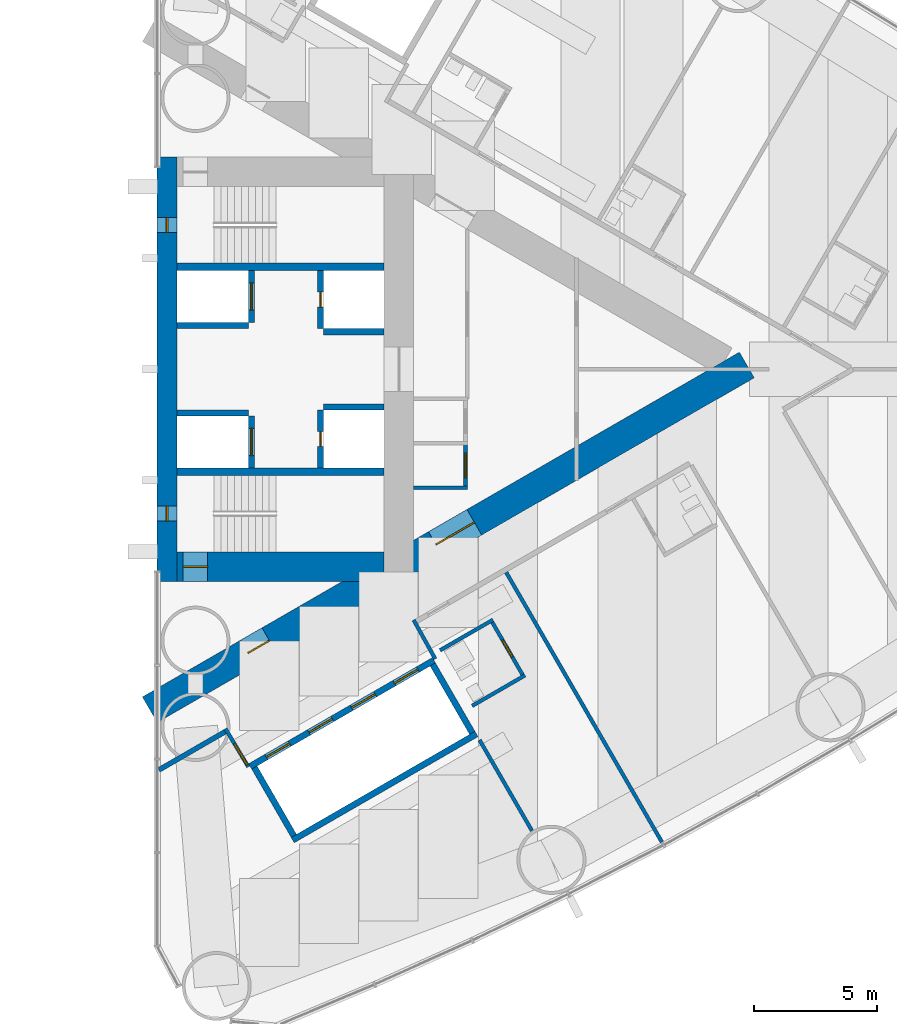
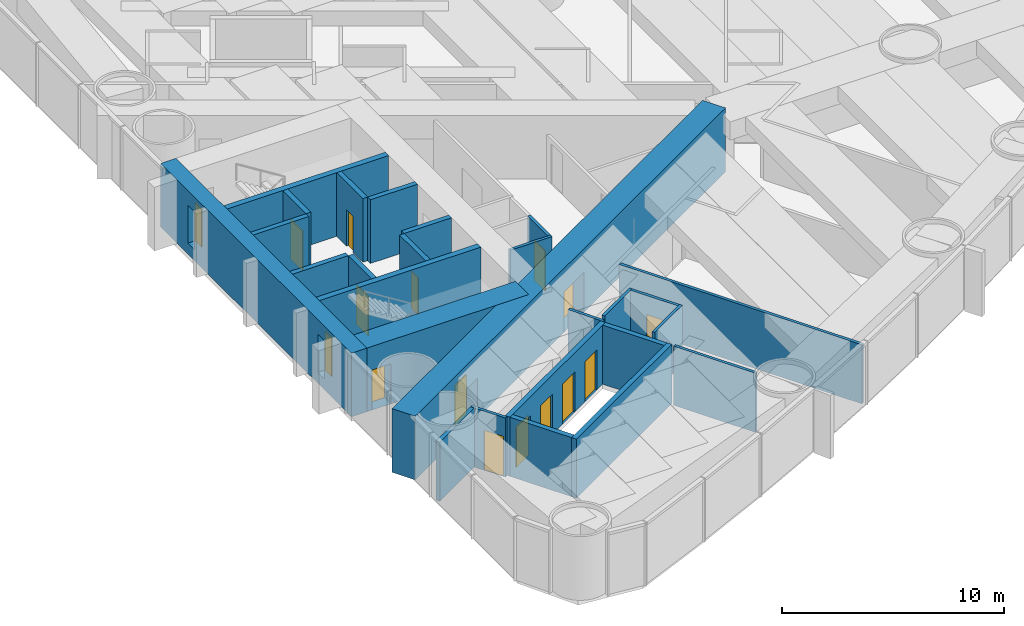
# One storey, part 14 of 19: 27 walls, 14 doors, 2 windows, 16 openings.
"""IFC4 building model written with IfcOpenShell, lengths in metres."""

from ifc_helpers import new_model, si_unit, direction, frame, frame_2d, origin, place, context, subcontext, project, spatial, rectangle, extrude, material, layer, layer_set, type_object, element, fill, save


model = new_model("IFC4")

# Units and contexts
model_context = context("Model", 3, precision=1e-05, world=origin(), true_north=direction((0.0, 1.0)))
body_context = subcontext(model_context, "Body", "Model", "MODEL_VIEW")
ifc_project = project(units=[si_unit("LENGTHUNIT", "METRE"), si_unit("AREAUNIT", "SQUARE_METRE"), si_unit("VOLUMEUNIT", "CUBIC_METRE"), si_unit("PLANEANGLEUNIT", "RADIAN"), si_unit("MASSUNIT", "GRAM", prefix="KILO")], contexts=[model_context])

# Site, building, storey
site_placement = place(None, origin())
site = spatial("IfcSite", under=ifc_project, at=site_placement, CompositionType="ELEMENT")
building_placement = place(site_placement, origin())
building = spatial("IfcBuilding", under=site, at=building_placement, Name="Lancet Gate Hotel", CompositionType="ELEMENT")
storey_placement = place(building_placement, frame((0.0, 0.0, 70.5)))
storey = spatial("IfcBuildingStorey", under=building, at=storey_placement, Name="L18", CompositionType="ELEMENT", Elevation=70.5)

# Wall
ifc_material_1 = material(Name="Moisture resistant board partition")
ifc_layer_1 = layer(ifc_material_1, 0.14990234375)
ifc_layer_set_1 = layer_set([ifc_layer_1], Name="Bathroom wall 150")
wall_type_1 = type_object("IfcWallType", Name="Bathroom wall 150", PredefinedType="PARTITIONING", material=ifc_layer_set_1)
wall_1_placement = place(storey_placement, frame((40.269775390625, -13.644287109375, 0.0), z_axis=(0.0, 0.0, 1.0), x_axis=(0.866031185235, 0.4999899861, 0.0)))
element("IfcWall", 1, at=wall_1_placement, inside=storey, type_object=wall_type_1, Name="T2 bathroom wall 150 L18", PredefinedType="PARTITIONING", context=body_context, shape_type="SweptSolid", body=[
    extrude(rectangle(XDim=2.47509765625, YDim=0.14990234375, at=frame_2d((1.237548828125, 0.0))), origin(), (0.0, 0.0, 1.0), 3.25),
])

# Wall, opening, door
wall_2_placement = place(storey_placement, frame((41.04833984375, -10.192626953125, 0.0), z_axis=(0.0, 0.0, 1.0), x_axis=(0.500047596559, -0.865997922154, 0.0)))
wall_2 = element("IfcWall", 2, at=wall_2_placement, inside=storey, type_object=wall_type_1, Name="T2 bathroom wall 150 L18", PredefinedType="PARTITIONING", context=body_context, shape_type="SweptSolid", body=[
    extrude(rectangle(XDim=2.599853515625, YDim=0.14990234375, at=frame_2d((1.2998046875, 0.0))), origin(), (0.0, 0.0, 1.0), 3.25),
])
opening_1_placement = place(wall_2_placement, frame((0.89990234375, 0.0, 0.0)))
opening_1 = element("IfcOpeningElement", 3, at=opening_1_placement, cuts=wall_2, Name="Opening 1853-B", PredefinedType="OPENING", context=body_context, shape_type="SweptSolid", body=[
    extrude(rectangle(XDim=0.800048828125, YDim=2.199951171875, at=frame_2d((0.39990234375, 1.10009765625))), frame((0.0, 0.0849609375, 0.0), z_axis=(0.0, -1.0, 0.0), x_axis=(1.0, 0.0, 0.0)), (0.0, 0.0, 1.0), 0.169921875),
])
ifc_material_2 = material(Name="Timber door set", Category="wood")
door_type_1 = type_object("IfcDoorType", Name="Bathroom door 800", OperationType="SINGLE_SWING_RIGHT", PredefinedType="DOOR", material=ifc_material_2)
door_1_placement = place(opening_1_placement, origin())
door_1 = element("IfcDoor", 4, at=door_1_placement, inside=storey, type_object=door_type_1, Name="1853-B", OperationType="SINGLE_SWING_RIGHT", OverallHeight=2.199951171875, OverallWidth=0.800048828125, PredefinedType="DOOR", context=body_context, shape_type="SweptSolid", body=[
    extrude(rectangle(XDim=0.800048828125, YDim=2.199951171875, at=frame_2d((0.39990234375, 1.10009765625))), frame((0.0, 0.02490234375, 0.0), z_axis=(0.0, -1.0, 0.0), x_axis=(1.0, 0.0, 0.0)), (0.0, 0.0, 1.0), 0.050048828125),
])
fill(opening_1, door_1)

# Wall
wall_3_placement = place(storey_placement, frame((38.9697265625, -11.392578125, 0.0), z_axis=(0.0, 0.0, 1.0), x_axis=(0.866031185235, 0.4999899861, 0.0)))
element("IfcWall", 5, at=wall_3_placement, inside=storey, type_object=wall_type_1, Name="T2 bathroom wall 150 L18", PredefinedType="PARTITIONING", context=body_context, shape_type="SweptSolid", body=[
    extrude(rectangle(XDim=2.47509765625, YDim=0.14990234375, at=frame_2d((1.237548828125, 0.0))), origin(), (0.0, 0.0, 1.0), 3.25),
])

# Wall, openings, doors
ifc_material_3 = material(Name="Concrete C70/85", Category="concrete")
ifc_layer_2 = layer(ifc_material_3, 1.199951171875)
ifc_layer_set_2 = layer_set([ifc_layer_2], Name="Buttress wall 1200")
wall_type_2 = type_object("IfcWallType", Name="Buttress wall 1200", PredefinedType="SHEAR", material=ifc_layer_set_2)
wall_4_placement = place(storey_placement, frame((27.199951171875, -13.800048828125, 0.0), z_axis=(0.0, 0.0, 1.0), x_axis=(0.866027159892, 0.499996958321, 0.0)))
wall_4 = element("IfcWall", 6, at=wall_4_placement, inside=storey, type_object=wall_type_2, Name="T2 buttress wall S L18", PredefinedType="SHEAR", context=body_context, shape_type="SweptSolid", body=[
    extrude(rectangle(XDim=27.946533203125, YDim=1.199951171875, at=frame_2d((13.97314453125, 0.0))), origin(), (0.0, 0.0, 1.0), 3.5),
])
opening_2_placement = place(wall_4_placement, frame((4.60009765625, 0.0, 0.0)))
opening_2 = element("IfcOpeningElement", 7, at=opening_2_placement, cuts=wall_4, Name="Opening T2-L18-LS", PredefinedType="OPENING", context=body_context, shape_type="SweptSolid", body=[
    extrude(rectangle(XDim=1.0, YDim=2.199951171875, at=frame_2d((0.5, 1.10009765625))), frame((0.0, 0.60986328125, 0.0), z_axis=(0.0, -1.0, 0.0), x_axis=(1.0, 0.0, 0.0)), (0.0, 0.0, 1.0), 1.219970703125),
])
opening_3_placement = place(wall_4_placement, frame((13.39453125, 0.0, 0.0)))
opening_3 = element("IfcOpeningElement", 8, at=opening_3_placement, cuts=wall_4, Name="Opening T2-L18-LHS", PredefinedType="OPENING", context=body_context, shape_type="SweptSolid", body=[
    extrude(rectangle(XDim=1.800048828125, YDim=2.199951171875, at=frame_2d((0.89990234375, 1.10009765625))), frame((0.0, 0.60986328125, 0.0), z_axis=(0.0, -1.0, 0.0), x_axis=(1.0, 0.0, 0.0)), (0.0, 0.0, 1.0), 1.219970703125),
])
ifc_material_4 = material(Name="Timber door set", Category="wood")
door_type_2 = type_object("IfcDoorType", Name="Lobby double door 1800", OperationType="DOUBLE_DOOR_SINGLE_SWING", PredefinedType="DOOR", material=ifc_material_4)
door_2_placement = place(opening_3_placement, origin())
door_2 = element("IfcDoor", 9, at=door_2_placement, inside=storey, type_object=door_type_2, Name="T2-L18-LHS", OperationType="DOUBLE_DOOR_SINGLE_SWING", OverallHeight=2.199951171875, OverallWidth=1.800048828125, PredefinedType="DOOR", context=body_context, shape_type="SweptSolid", body=[
    extrude(rectangle(XDim=1.800048828125, YDim=2.199951171875, at=frame_2d((0.89990234375, 1.10009765625))), frame((0.0, 0.02490234375, 0.0), z_axis=(0.0, -1.0, 0.0), x_axis=(1.0, 0.0, 0.0)), (0.0, 0.0, 1.0), 0.050048828125),
])
fill(opening_3, door_2)
ifc_material_5 = material(Name="Timber door set", Category="wood")
door_type_3 = type_object("IfcDoorType", Name="Stair lobby door 1000", OperationType="SINGLE_SWING_LEFT", PredefinedType="DOOR", material=ifc_material_5)
door_3_placement = place(opening_2_placement, origin())
door_3 = element("IfcDoor", 10, at=door_3_placement, inside=storey, type_object=door_type_3, Name="T2-L18-LS", OperationType="SINGLE_SWING_LEFT", OverallHeight=2.199951171875, OverallWidth=1.0, PredefinedType="DOOR", context=body_context, shape_type="SweptSolid", body=[
    extrude(rectangle(XDim=1.0, YDim=2.199951171875, at=frame_2d((0.5, 1.10009765625))), frame((0.0, 0.02490234375, 0.0), z_axis=(0.0, -1.0, 0.0), x_axis=(1.0, 0.0, 0.0)), (0.0, 0.0, 1.0), 0.050048828125),
])
fill(opening_2, door_3)

# Wall, opening, door
ifc_material_6 = material(Name="Concrete C70/85", Category="concrete")
ifc_layer_3 = layer(ifc_material_6, 1.199951171875)
ifc_layer_set_3 = layer_set([ifc_layer_3], Name="Core wall 1200")
wall_type_3 = type_object("IfcWallType", Name="Core wall 1200", PredefinedType="SHEAR", material=ifc_layer_set_3)
wall_5_placement = place(storey_placement, frame((28.300048828125, -8.0, 0.0), z_axis=(0.0, 0.0, 1.0), x_axis=(1.0, 0.0, 0.0)))
wall_5 = element("IfcWall", 11, at=wall_5_placement, inside=storey, type_object=wall_type_3, Name="T2 core wall side-S L18", PredefinedType="SHEAR", context=body_context, shape_type="SweptSolid", body=[
    extrude(rectangle(XDim=8.39990234375, YDim=1.199951171875, at=frame_2d((4.199951171875, 0.0))), origin(), (0.0, 0.0, 1.0), 3.5),
])
opening_4_placement = place(wall_5_placement, frame((0.25, 0.0, 0.0)))
opening_4 = element("IfcOpeningElement", 12, at=opening_4_placement, cuts=wall_5, Name="Opening T2-L18-ST1", PredefinedType="OPENING", context=body_context, shape_type="SweptSolid", body=[
    extrude(rectangle(XDim=1.0, YDim=2.199951171875, at=frame_2d((0.5, 1.10009765625))), frame((0.0, 0.60986328125, 0.0), z_axis=(0.0, -1.0, 0.0), x_axis=(1.0, 0.0, 0.0)), (0.0, 0.0, 1.0), 1.219970703125),
])
ifc_material_7 = material(Name="Timber door set", Category="wood")
door_type_4 = type_object("IfcDoorType", Name="Stair door 1000", OperationType="SINGLE_SWING_RIGHT", PredefinedType="DOOR", material=ifc_material_7)
door_4_placement = place(opening_4_placement, origin())
door_4 = element("IfcDoor", 13, at=door_4_placement, inside=storey, type_object=door_type_4, Name="T2-L18-ST1", OperationType="SINGLE_SWING_RIGHT", OverallHeight=2.199951171875, OverallWidth=1.0, PredefinedType="DOOR", context=body_context, shape_type="SweptSolid", body=[
    extrude(rectangle(XDim=1.0, YDim=2.199951171875, at=frame_2d((0.5, 1.10009765625))), frame((0.0, 0.02490234375, 0.0), z_axis=(0.0, -1.0, 0.0), x_axis=(1.0, 0.0, 0.0)), (0.0, 0.0, 1.0), 0.050048828125),
])
fill(opening_4, door_4)

# Wall, openings, windows
ifc_material_8 = material(Name="Concrete C70/85", Category="concrete")
ifc_layer_4 = layer(ifc_material_8, 0.800048828125)
ifc_layer_set_4 = layer_set([ifc_layer_4], Name="Core wall 800")
wall_type_4 = type_object("IfcWallType", Name="Core wall 800", PredefinedType="SHEAR", material=ifc_layer_set_4)
wall_6_placement = place(storey_placement, frame((27.89990234375, -8.60009765625, 0.0), z_axis=(0.0, 0.0, 1.0), x_axis=(0.0, 1.0, 0.0)))
wall_6 = element("IfcWall", 14, at=wall_6_placement, inside=storey, type_object=wall_type_4, Name="T2 core wall front L18", PredefinedType="SHEAR", context=body_context, shape_type="SweptSolid", body=[
    extrude(rectangle(XDim=17.2001953125, YDim=0.800048828125, at=frame_2d((8.60009765625, 0.0))), origin(), (0.0, 0.0, 1.0), 3.5),
])
opening_5_placement = place(wall_6_placement, frame((2.449951171875, 0.0, 0.60009765625)))
opening_5 = element("IfcOpeningElement", 15, at=opening_5_placement, cuts=wall_6, Name="Opening LW1", PredefinedType="OPENING", context=body_context, shape_type="SweptSolid", body=[
    extrude(rectangle(XDim=0.60009765625, YDim=2.10009765625, at=frame_2d((0.300048828125, 1.050048828125))), frame((0.0, 0.409912109375, 0.0), z_axis=(0.0, -1.0, 0.0), x_axis=(1.0, 0.0, 0.0)), (0.0, 0.0, 1.0), 0.820068359375),
])
opening_6_placement = place(wall_6_placement, frame((14.14990234375, 0.0, 0.60009765625)))
opening_6 = element("IfcOpeningElement", 16, at=opening_6_placement, cuts=wall_6, Name="Opening LW1", PredefinedType="OPENING", context=body_context, shape_type="SweptSolid", body=[
    extrude(rectangle(XDim=0.60009765625, YDim=2.10009765625, at=frame_2d((0.300048828125, 1.050048828125))), frame((0.0, 0.409912109375, 0.0), z_axis=(0.0, -1.0, 0.0), x_axis=(1.0, 0.0, 0.0)), (0.0, 0.0, 1.0), 0.820068359375),
])
ifc_material_9 = material(Name="Fire-resisting glazed steel window", Category="steel")
window_type = type_object("IfcWindowType", Name="Lancet window 600x2100", PartitioningType="SINGLE_PANEL", PredefinedType="WINDOW", material=ifc_material_9)
window_1_placement = place(opening_5_placement, origin())
window_1 = element("IfcWindow", 17, at=window_1_placement, inside=storey, type_object=window_type, Name="T2 stair window S L18", OverallHeight=2.10009765625, OverallWidth=0.60009765625, PartitioningType="SINGLE_PANEL", PredefinedType="WINDOW", context=body_context, shape_type="SweptSolid", body=[
    extrude(rectangle(XDim=0.60009765625, YDim=2.10009765625, at=frame_2d((0.300048828125, 1.050048828125))), frame((0.0, 0.030029296875, 0.0), z_axis=(0.0, -1.0, 0.0), x_axis=(1.0, 0.0, 0.0)), (0.0, 0.0, 1.0), 0.06005859375),
])
fill(opening_5, window_1)
window_2_placement = place(opening_6_placement, origin())
window_2 = element("IfcWindow", 18, at=window_2_placement, inside=storey, type_object=window_type, Name="T2 stair window N L18", OverallHeight=2.10009765625, OverallWidth=0.60009765625, PartitioningType="SINGLE_PANEL", PredefinedType="WINDOW", context=body_context, shape_type="SweptSolid", body=[
    extrude(rectangle(XDim=0.60009765625, YDim=2.10009765625, at=frame_2d((0.300048828125, 1.050048828125))), frame((0.0, 0.030029296875, 0.0), z_axis=(0.0, -1.0, 0.0), x_axis=(1.0, 0.0, 0.0)), (0.0, 0.0, 1.0), 0.06005859375),
])
fill(opening_6, window_2)

# Wall
ifc_material_10 = material(Name="Gypsum board partition")
ifc_layer_5 = layer(ifc_material_10, 0.199951171875)
ifc_layer_set_5 = layer_set([ifc_layer_5], Name="Corridor wall 200")
wall_type_5 = type_object("IfcWallType", Name="Corridor wall 200", PredefinedType="PARTITIONING", material=ifc_layer_set_5)
wall_7_placement = place(storey_placement, frame((27.572021484375, -16.240966796875, 0.0), z_axis=(0.0, 0.0, 1.0), x_axis=(0.866029654818, 0.499992636921, 0.0)))
element("IfcWall", 19, at=wall_7_placement, inside=storey, type_object=wall_type_5, Name="T2 corridor wall 200 L18", PredefinedType="PARTITIONING", context=body_context, shape_type="SweptSolid", body=[
    extrude(rectangle(XDim=3.15478515625, YDim=0.199951171875, at=frame_2d((1.577392578125, 0.0))), origin(), (0.0, 0.0, 1.0), 3.25),
])

# Wall, openings, doors
ifc_material_11 = material(Name="Gypsum board partition")
ifc_layer_6 = layer(ifc_material_11, 0.25)
ifc_layer_set_6 = layer_set([ifc_layer_6], Name="Lift shaft partition 250")
wall_type_6 = type_object("IfcWallType", Name="Lift shaft partition 250", PredefinedType="PARTITIONING", material=ifc_layer_set_6)
wall_8_placement = place(storey_placement, frame((31.2705078125, -16.09716796875, 0.0), z_axis=(0.0, 0.0, 1.0), x_axis=(0.86604045752, 0.499973925258, 0.0)))
wall_8 = element("IfcWall", 20, at=wall_8_placement, inside=storey, type_object=wall_type_6, Name="T2 lift shaft wall LR L18", PredefinedType="PARTITIONING", context=body_context, shape_type="SweptSolid", body=[
    extrude(rectangle(XDim=8.60009765625, YDim=0.25, at=frame_2d((4.300048828125, 0.0))), origin(), (0.0, 0.0, 1.0), 3.25),
])
opening_7_placement = place(wall_8_placement, frame((0.75, 0.0, 0.0)))
opening_7 = element("IfcOpeningElement", 21, at=opening_7_placement, cuts=wall_8, Name="Opening T2-LR1-L18", PredefinedType="OPENING", context=body_context, shape_type="SweptSolid", body=[
    extrude(rectangle(XDim=1.10009765625, YDim=2.199951171875, at=frame_2d((0.550048828125, 1.10009765625))), frame((0.0, 0.135009765625, 0.0), z_axis=(0.0, -1.0, 0.0), x_axis=(1.0, 0.0, 0.0)), (0.0, 0.0, 1.0), 0.27001953125),
])
opening_8_placement = place(wall_8_placement, frame((2.75, 0.0, 0.0)))
opening_8 = element("IfcOpeningElement", 22, at=opening_8_placement, cuts=wall_8, Name="Opening T2-LR2-L18", PredefinedType="OPENING", context=body_context, shape_type="SweptSolid", body=[
    extrude(rectangle(XDim=1.10009765625, YDim=2.199951171875, at=frame_2d((0.550048828125, 1.10009765625))), frame((0.0, 0.135009765625, 0.0), z_axis=(0.0, -1.0, 0.0), x_axis=(1.0, 0.0, 0.0)), (0.0, 0.0, 1.0), 0.27001953125),
])
opening_9_placement = place(wall_8_placement, frame((4.75, 0.0, 0.0)))
opening_9 = element("IfcOpeningElement", 23, at=opening_9_placement, cuts=wall_8, Name="Opening T2-LR3-L18", PredefinedType="OPENING", context=body_context, shape_type="SweptSolid", body=[
    extrude(rectangle(XDim=1.10009765625, YDim=2.199951171875, at=frame_2d((0.550048828125, 1.10009765625))), frame((0.0, 0.135009765625, 0.0), z_axis=(0.0, -1.0, 0.0), x_axis=(1.0, 0.0, 0.0)), (0.0, 0.0, 1.0), 0.27001953125),
])
opening_10_placement = place(wall_8_placement, frame((6.75, 0.0, 0.0)))
opening_10 = element("IfcOpeningElement", 24, at=opening_10_placement, cuts=wall_8, Name="Opening T2-LR4-L18", PredefinedType="OPENING", context=body_context, shape_type="SweptSolid", body=[
    extrude(rectangle(XDim=1.10009765625, YDim=2.199951171875, at=frame_2d((0.550048828125, 1.10009765625))), frame((0.0, 0.135009765625, 0.0), z_axis=(0.0, -1.0, 0.0), x_axis=(1.0, 0.0, 0.0)), (0.0, 0.0, 1.0), 0.27001953125),
])
ifc_material_12 = material(Name="Steel door set", Category="steel")
door_type_5 = type_object("IfcDoorType", Name="Lift landing door 1100", OperationType="DOUBLE_DOOR_SLIDING", PredefinedType="USERDEFINED", material=ifc_material_12)
door_5_placement = place(opening_7_placement, origin())
door_5 = element("IfcDoor", 25, at=door_5_placement, inside=storey, type_object=door_type_5, Name="T2-LR1-L18", ObjectType="LIFT LANDING DOOR", OperationType="DOUBLE_DOOR_SLIDING", OverallHeight=2.199951171875, OverallWidth=1.10009765625, PredefinedType="USERDEFINED", context=body_context, shape_type="SweptSolid", body=[
    extrude(rectangle(XDim=1.10009765625, YDim=2.199951171875, at=frame_2d((0.550048828125, 1.10009765625))), frame((0.0, 0.02490234375, 0.0), z_axis=(0.0, -1.0, 0.0), x_axis=(1.0, 0.0, 0.0)), (0.0, 0.0, 1.0), 0.050048828125),
])
fill(opening_7, door_5)
door_6_placement = place(opening_8_placement, origin())
door_6 = element("IfcDoor", 26, at=door_6_placement, inside=storey, type_object=door_type_5, Name="T2-LR2-L18", ObjectType="LIFT LANDING DOOR", OperationType="DOUBLE_DOOR_SLIDING", OverallHeight=2.199951171875, OverallWidth=1.10009765625, PredefinedType="USERDEFINED", context=body_context, shape_type="SweptSolid", body=[
    extrude(rectangle(XDim=1.10009765625, YDim=2.199951171875, at=frame_2d((0.550048828125, 1.10009765625))), frame((0.0, 0.02490234375, 0.0), z_axis=(0.0, -1.0, 0.0), x_axis=(1.0, 0.0, 0.0)), (0.0, 0.0, 1.0), 0.050048828125),
])
fill(opening_8, door_6)
door_7_placement = place(opening_9_placement, origin())
door_7 = element("IfcDoor", 27, at=door_7_placement, inside=storey, type_object=door_type_5, Name="T2-LR3-L18", ObjectType="LIFT LANDING DOOR", OperationType="DOUBLE_DOOR_SLIDING", OverallHeight=2.199951171875, OverallWidth=1.10009765625, PredefinedType="USERDEFINED", context=body_context, shape_type="SweptSolid", body=[
    extrude(rectangle(XDim=1.10009765625, YDim=2.199951171875, at=frame_2d((0.550048828125, 1.10009765625))), frame((0.0, 0.02490234375, 0.0), z_axis=(0.0, -1.0, 0.0), x_axis=(1.0, 0.0, 0.0)), (0.0, 0.0, 1.0), 0.050048828125),
])
fill(opening_9, door_7)
door_8_placement = place(opening_10_placement, origin())
door_8 = element("IfcDoor", 28, at=door_8_placement, inside=storey, type_object=door_type_5, Name="T2-LR4-L18", ObjectType="LIFT LANDING DOOR", OperationType="DOUBLE_DOOR_SLIDING", OverallHeight=2.199951171875, OverallWidth=1.10009765625, PredefinedType="USERDEFINED", context=body_context, shape_type="SweptSolid", body=[
    extrude(rectangle(XDim=1.10009765625, YDim=2.199951171875, at=frame_2d((0.550048828125, 1.10009765625))), frame((0.0, 0.02490234375, 0.0), z_axis=(0.0, -1.0, 0.0), x_axis=(1.0, 0.0, 0.0)), (0.0, 0.0, 1.0), 0.050048828125),
])
fill(opening_10, door_8)

# Walls
wall_9_placement = place(storey_placement, frame((32.99560546875, -19.085693359375, 0.0), z_axis=(0.0, 0.0, 1.0), x_axis=(0.866028165386, 0.499995216735, 0.0)))
element("IfcWall", 29, at=wall_9_placement, inside=storey, type_object=wall_type_6, Name="T2 lift shaft wall LR L18", PredefinedType="PARTITIONING", context=body_context, shape_type="SweptSolid", body=[
    extrude(rectangle(XDim=8.60009765625, YDim=0.25, at=frame_2d((4.300048828125, 0.0))), origin(), (0.0, 0.0, 1.0), 3.25),
])
for number, where, z_axis, x_axis, name in (
    (30, (31.441162109375, -16.14306640625, 0.0), (0.0, 0.0, 1.0), (0.499929347863, -0.866066190972, 0.0), "T2 lift shaft wall LR L18"),
    (31, (38.672607421875, -11.968017578125, 0.0), (0.0, 0.0, 1.0), (0.499929347863, -0.866066190972, 0.0), "T2 lift shaft wall LR L18"),
):
    element("IfcWall", number, at=place(storey_placement, frame(where, z_axis=z_axis, x_axis=x_axis)), inside=storey, type_object=wall_type_6, Name=name, PredefinedType="PARTITIONING", context=body_context, shape_type="SweptSolid", body=[
        extrude(rectangle(XDim=3.20068359375, YDim=0.25, at=frame_2d((1.600341796875, 0.0))), origin(), (0.0, 0.0, 1.0), 3.25),
    ])

# Wall, opening, door
ifc_material_13 = material(Name="Concrete C50/60", Category="concrete")
ifc_layer_7 = layer(ifc_material_13, 0.25)
ifc_layer_set_7 = layer_set([ifc_layer_7], Name="Lift shaft wall 250")
wall_type_7 = type_object("IfcWallType", Name="Lift shaft wall 250", PredefinedType="SHEAR", material=ifc_layer_set_7)
wall_10_placement = place(storey_placement, frame((31.324951171875, -4.0, 0.0), z_axis=(0.0, 0.0, 1.0), x_axis=(0.0, 1.0, 0.0)))
wall_10 = element("IfcWall", 32, at=wall_10_placement, inside=storey, type_object=wall_type_7, Name="T2 core wall row1-S L18", PredefinedType="SHEAR", context=body_context, shape_type="SweptSolid", body=[
    extrude(rectangle(XDim=2.10009765625, YDim=0.25, at=frame_2d((1.050048828125, 0.0))), origin(), (0.0, 0.0, 1.0), 3.5),
])
opening_11_placement = place(wall_10_placement, frame((0.5, 0.0, 0.0)))
opening_11 = element("IfcOpeningElement", 33, at=opening_11_placement, cuts=wall_10, Name="Opening T2-SL1-L18", PredefinedType="OPENING", context=body_context, shape_type="SweptSolid", body=[
    extrude(rectangle(XDim=1.10009765625, YDim=2.199951171875, at=frame_2d((0.550048828125, 1.10009765625))), frame((0.0, 0.135009765625, 0.0), z_axis=(0.0, -1.0, 0.0), x_axis=(1.0, 0.0, 0.0)), (0.0, 0.0, 1.0), 0.27001953125),
])
ifc_material_14 = material(Name="Timber door set", Category="wood")
door_type_6 = type_object("IfcDoorType", Name="Service lift landing door 1100", OperationType="SLIDING_TO_LEFT", PredefinedType="USERDEFINED", material=ifc_material_14)
door_9_placement = place(opening_11_placement, origin())
door_9 = element("IfcDoor", 34, at=door_9_placement, inside=storey, type_object=door_type_6, Name="T2-SL1-L18", ObjectType="LIFT LANDING DOOR", OperationType="SLIDING_TO_LEFT", OverallHeight=2.199951171875, OverallWidth=1.10009765625, PredefinedType="USERDEFINED", context=body_context, shape_type="SweptSolid", body=[
    extrude(rectangle(XDim=1.10009765625, YDim=2.199951171875, at=frame_2d((0.550048828125, 1.10009765625))), frame((0.0, 0.02490234375, 0.0), z_axis=(0.0, -1.0, 0.0), x_axis=(1.0, 0.0, 0.0)), (0.0, 0.0, 1.0), 0.050048828125),
])
fill(opening_11, door_9)

wall_11_placement = place(storey_placement, frame((34.125, -4.0, 0.0), z_axis=(0.0, 0.0, 1.0), x_axis=(0.0, 1.0, 0.0)))
wall_11 = element("IfcWall", 35, at=wall_11_placement, inside=storey, type_object=wall_type_7, Name="T2 core wall row2-S L18", PredefinedType="SHEAR", context=body_context, shape_type="SweptSolid", body=[
    extrude(rectangle(XDim=2.35009765625, YDim=0.25, at=frame_2d((1.175048828125, 0.0))), origin(), (0.0, 0.0, 1.0), 3.5),
])
opening_12_placement = place(wall_11_placement, frame((0.875, 0.0, 0.0)))
opening_12 = element("IfcOpeningElement", 36, at=opening_12_placement, cuts=wall_11, Name="Opening T2-OL3-L18-E", PredefinedType="OPENING", context=body_context, shape_type="SweptSolid", body=[
    extrude(rectangle(XDim=0.60009765625, YDim=2.0, at=frame_2d((0.300048828125, 1.0))), frame((0.0, 0.135009765625, 0.0), z_axis=(0.0, -1.0, 0.0), x_axis=(1.0, 0.0, 0.0)), (0.0, 0.0, 1.0), 0.27001953125),
])
ifc_material_15 = material(Name="Steel door set", Category="steel")
door_type_7 = type_object("IfcDoorType", Name="Lift shaft emergency door 600x2000", OperationType="SLIDING_TO_LEFT", PredefinedType="DOOR", material=ifc_material_15)
door_10_placement = place(opening_12_placement, origin())
door_10 = element("IfcDoor", 37, at=door_10_placement, inside=storey, type_object=door_type_7, Name="T2-OL3-L18-E", OperationType="SLIDING_TO_LEFT", OverallHeight=2.0, OverallWidth=0.60009765625, PredefinedType="DOOR", context=body_context, shape_type="SweptSolid", body=[
    extrude(rectangle(XDim=0.60009765625, YDim=2.0, at=frame_2d((0.300048828125, 1.0))), frame((0.0, 0.02490234375, 0.0), z_axis=(0.0, -1.0, 0.0), x_axis=(1.0, 0.0, 0.0)), (0.0, 0.0, 1.0), 0.050048828125),
])
fill(opening_12, door_10)

# Walls
wall_12_placement = place(storey_placement, frame((28.300048828125, -1.77490234375, 0.0), z_axis=(0.0, 0.0, 1.0), x_axis=(1.0, 0.0, 0.0)))
element("IfcWall", 38, at=wall_12_placement, inside=storey, type_object=wall_type_7, Name="T2 core wall pass1-S L18", PredefinedType="SHEAR", context=body_context, shape_type="SweptSolid", body=[
    extrude(rectangle(XDim=2.89990234375, YDim=0.25, at=frame_2d((1.449951171875, 0.0))), origin(), (0.0, 0.0, 1.0), 3.5),
])
wall_13_placement = place(storey_placement, frame((34.25, -1.52490234375, 0.0), z_axis=(0.0, 0.0, 1.0), x_axis=(1.0, 0.0, 0.0)))
element("IfcWall", 39, at=wall_13_placement, inside=storey, type_object=wall_type_7, Name="T2 core wall pass2-S L18", PredefinedType="SHEAR", context=body_context, shape_type="SweptSolid", body=[
    extrude(rectangle(XDim=2.449951171875, YDim=0.25, at=frame_2d((1.22509765625, 0.0))), origin(), (0.0, 0.0, 1.0), 3.5),
])

# Wall, opening, door
wall_14_placement = place(storey_placement, frame((31.324951171875, 1.89990234375, 0.0), z_axis=(0.0, 0.0, 1.0), x_axis=(0.0, 1.0, 0.0)))
wall_14 = element("IfcWall", 40, at=wall_14_placement, inside=storey, type_object=wall_type_7, Name="T2 core wall row1-N L18", PredefinedType="SHEAR", context=body_context, shape_type="SweptSolid", body=[
    extrude(rectangle(XDim=2.10009765625, YDim=0.25, at=frame_2d((1.050048828125, 0.0))), origin(), (0.0, 0.0, 1.0), 3.5),
])
opening_13_placement = place(wall_14_placement, frame((0.5, 0.0, 0.0)))
opening_13 = element("IfcOpeningElement", 41, at=opening_13_placement, cuts=wall_14, Name="Opening T2-FL2-L18", PredefinedType="OPENING", context=body_context, shape_type="SweptSolid", body=[
    extrude(rectangle(XDim=1.10009765625, YDim=2.199951171875, at=frame_2d((0.550048828125, 1.10009765625))), frame((0.0, 0.135009765625, 0.0), z_axis=(0.0, -1.0, 0.0), x_axis=(1.0, 0.0, 0.0)), (0.0, 0.0, 1.0), 0.27001953125),
])
ifc_material_16 = material(Name="Steel door set", Category="steel")
door_type_8 = type_object("IfcDoorType", Name="Firefighting lift landing door 1100", OperationType="SLIDING_TO_LEFT", PredefinedType="USERDEFINED", material=ifc_material_16)
door_11_placement = place(opening_13_placement, origin())
door_11 = element("IfcDoor", 42, at=door_11_placement, inside=storey, type_object=door_type_8, Name="T2-FL2-L18", ObjectType="LIFT LANDING DOOR", OperationType="SLIDING_TO_LEFT", OverallHeight=2.199951171875, OverallWidth=1.10009765625, PredefinedType="USERDEFINED", context=body_context, shape_type="SweptSolid", body=[
    extrude(rectangle(XDim=1.10009765625, YDim=2.199951171875, at=frame_2d((0.550048828125, 1.10009765625))), frame((0.0, 0.02490234375, 0.0), z_axis=(0.0, -1.0, 0.0), x_axis=(1.0, 0.0, 0.0)), (0.0, 0.0, 1.0), 0.050048828125),
])
fill(opening_13, door_11)

wall_15_placement = place(storey_placement, frame((34.125, 1.64990234375, 0.0), z_axis=(0.0, 0.0, 1.0), x_axis=(0.0, 1.0, 0.0)))
wall_15 = element("IfcWall", 43, at=wall_15_placement, inside=storey, type_object=wall_type_7, Name="T2 core wall row2-N L18", PredefinedType="SHEAR", context=body_context, shape_type="SweptSolid", body=[
    extrude(rectangle(XDim=2.35009765625, YDim=0.25, at=frame_2d((1.175048828125, 0.0))), origin(), (0.0, 0.0, 1.0), 3.5),
])
opening_14_placement = place(wall_15_placement, frame((0.875, 0.0, 0.0)))
opening_14 = element("IfcOpeningElement", 44, at=opening_14_placement, cuts=wall_15, Name="Opening T2-OL4-L18-E", PredefinedType="OPENING", context=body_context, shape_type="SweptSolid", body=[
    extrude(rectangle(XDim=0.60009765625, YDim=2.0, at=frame_2d((0.300048828125, 1.0))), frame((0.0, 0.135009765625, 0.0), z_axis=(0.0, -1.0, 0.0), x_axis=(1.0, 0.0, 0.0)), (0.0, 0.0, 1.0), 0.27001953125),
])
door_12_placement = place(opening_14_placement, origin())
door_12 = element("IfcDoor", 45, at=door_12_placement, inside=storey, type_object=door_type_7, Name="T2-OL4-L18-E", OperationType="SLIDING_TO_LEFT", OverallHeight=2.0, OverallWidth=0.60009765625, PredefinedType="DOOR", context=body_context, shape_type="SweptSolid", body=[
    extrude(rectangle(XDim=0.60009765625, YDim=2.0, at=frame_2d((0.300048828125, 1.0))), frame((0.0, 0.02490234375, 0.0), z_axis=(0.0, -1.0, 0.0), x_axis=(1.0, 0.0, 0.0)), (0.0, 0.0, 1.0), 0.050048828125),
])
fill(opening_14, door_12)

# Walls
wall_16_placement = place(storey_placement, frame((28.300048828125, 1.77490234375, 0.0), z_axis=(0.0, 0.0, 1.0), x_axis=(1.0, 0.0, 0.0)))
element("IfcWall", 46, at=wall_16_placement, inside=storey, type_object=wall_type_7, Name="T2 core wall pass1-N L18", PredefinedType="SHEAR", context=body_context, shape_type="SweptSolid", body=[
    extrude(rectangle(XDim=2.89990234375, YDim=0.25, at=frame_2d((1.449951171875, 0.0))), origin(), (0.0, 0.0, 1.0), 3.5),
])
wall_17_placement = place(storey_placement, frame((34.25, 1.52490234375, 0.0), z_axis=(0.0, 0.0, 1.0), x_axis=(1.0, 0.0, 0.0)))
element("IfcWall", 47, at=wall_17_placement, inside=storey, type_object=wall_type_7, Name="T2 core wall pass2-N L18", PredefinedType="SHEAR", context=body_context, shape_type="SweptSolid", body=[
    extrude(rectangle(XDim=2.449951171875, YDim=0.25, at=frame_2d((1.22509765625, 0.0))), origin(), (0.0, 0.0, 1.0), 3.5),
])
ifc_material_17 = material(Name="Gypsum board partition")
ifc_layer_8 = layer(ifc_material_17, 0.14990234375)
ifc_layer_set_8 = layer_set([ifc_layer_8], Name="Party wall 150")
wall_type_8 = type_object("IfcWallType", Name="Party wall 150", PredefinedType="PARTITIONING", material=ifc_layer_set_8)
wall_18_placement = place(storey_placement, frame((41.6474609375, -8.22998046875, 0.0), z_axis=(0.0, 0.0, 1.0), x_axis=(0.49998590462, -0.866033541603, 0.0)))
element("IfcWall", 48, at=wall_18_placement, inside=storey, type_object=wall_type_8, Name="T2 party wall 150 L18", PredefinedType="PARTITIONING", context=body_context, shape_type="SweptSolid", body=[
    extrude(rectangle(XDim=12.620849609375, YDim=0.14990234375, at=frame_2d((6.310546875, 0.0))), origin(), (0.0, 0.0, 1.0), 3.25),
])
wall_19_placement = place(storey_placement, frame((40.5703125, -15.030029296875, 0.0), z_axis=(0.0, 0.0, 1.0), x_axis=(0.500012993597, -0.866017901798, 0.0)))
element("IfcWall", 49, at=wall_19_placement, inside=storey, type_object=wall_type_8, Name="T2 party wall 150 L18", PredefinedType="PARTITIONING", context=body_context, shape_type="SweptSolid", body=[
    extrude(rectangle(XDim=4.2431640625, YDim=0.14990234375, at=frame_2d((2.12158203125, 0.0))), origin(), (0.0, 0.0, 1.0), 3.25),
])
ifc_material_18 = material(Name="Gypsum board partition")
ifc_layer_9 = layer(ifc_material_18, 0.14990234375)
ifc_layer_set_9 = layer_set([ifc_layer_9], Name="Service room wall 150")
wall_type_9 = type_object("IfcWallType", Name="Service room wall 150", PredefinedType="PARTITIONING", material=ifc_layer_set_9)
wall_20_placement = place(storey_placement, frame((38.7734375, -11.742431640625, 0.0), z_axis=(0.0, 0.0, 1.0), x_axis=(-0.485528096672, 0.8742210632, 0.0)))
element("IfcWall", 50, at=wall_20_placement, inside=storey, type_object=wall_type_9, Name="T2 service room wall 150 L18", PredefinedType="PARTITIONING", context=body_context, shape_type="SweptSolid", body=[
    extrude(rectangle(XDim=1.80517578125, YDim=0.14990234375, at=frame_2d((0.902587890625, 0.0))), origin(), (0.0, 0.0, 1.0), 3.25),
])

# Wall, opening, door
wall_21_placement = place(storey_placement, frame((30.26708984375, -14.5693359375, 0.0), z_axis=(0.0, 0.0, 1.0), x_axis=(0.514336634837, -0.857588377991, 0.0)))
wall_21 = element("IfcWall", 51, at=wall_21_placement, inside=storey, type_object=wall_type_9, Name="T2 service room wall 150 L18", PredefinedType="PARTITIONING", context=body_context, shape_type="SweptSolid", body=[
    extrude(rectangle(XDim=1.80517578125, YDim=0.14990234375, at=frame_2d((0.902587890625, 0.0))), origin(), (0.0, 0.0, 1.0), 3.25),
])
opening_15_placement = place(wall_21_placement, frame((0.702880859375, 0.0, 0.0)))
opening_15 = element("IfcOpeningElement", 52, at=opening_15_placement, cuts=wall_21, Name="Opening T2-L18-LO1", PredefinedType="OPENING", context=body_context, shape_type="SweptSolid", body=[
    extrude(rectangle(XDim=1.0, YDim=2.199951171875, at=frame_2d((0.5, 1.10009765625))), frame((0.0, 0.0849609375, 0.0), z_axis=(0.0, -1.0, 0.0), x_axis=(1.0, 0.0, 0.0)), (0.0, 0.0, 1.0), 0.169921875),
])
ifc_material_19 = material(Name="Timber door set", Category="wood")
door_type_9 = type_object("IfcDoorType", Name="Service door 1000", OperationType="SINGLE_SWING_LEFT", PredefinedType="DOOR", material=ifc_material_19)
door_13_placement = place(opening_15_placement, origin())
door_13 = element("IfcDoor", 53, at=door_13_placement, inside=storey, type_object=door_type_9, Name="T2-L18-LO1", OperationType="SINGLE_SWING_LEFT", OverallHeight=2.199951171875, OverallWidth=1.0, PredefinedType="DOOR", context=body_context, shape_type="SweptSolid", body=[
    extrude(rectangle(XDim=1.0, YDim=2.199951171875, at=frame_2d((0.5, 1.10009765625))), frame((0.0, 0.02490234375, 0.0), z_axis=(0.0, -1.0, 0.0), x_axis=(1.0, 0.0, 0.0)), (0.0, 0.0, 1.0), 0.050048828125),
])
fill(opening_15, door_13)

# Wall
wall_22_placement = place(storey_placement, frame((37.89990234375, -4.800048828125, 0.0), z_axis=(0.0, 0.0, 1.0), x_axis=(1.0, 0.0, 0.0)))
element("IfcWall", 54, at=wall_22_placement, inside=storey, type_object=wall_type_9, Name="T2 service room wall 150 L18", PredefinedType="PARTITIONING", context=body_context, shape_type="SweptSolid", body=[
    extrude(rectangle(XDim=2.175048828125, YDim=0.14990234375, at=frame_2d((1.08740234375, 0.0))), origin(), (0.0, 0.0, 1.0), 3.25),
])

# Wall, opening, door
wall_23_placement = place(storey_placement, frame((40.0, -4.875, 0.0), z_axis=(0.0, 0.0, 1.0), x_axis=(0.0, 1.0, 0.0)))
wall_23 = element("IfcWall", 55, at=wall_23_placement, inside=storey, type_object=wall_type_9, Name="T2 service room wall 150 L18", PredefinedType="PARTITIONING", context=body_context, shape_type="SweptSolid", body=[
    extrude(rectangle(XDim=1.949951171875, YDim=0.14990234375, at=frame_2d((0.97509765625, 0.0))), origin(), (0.0, 0.0, 1.0), 3.25),
])
opening_16_placement = place(wall_23_placement, frame((0.47509765625, 0.0, 0.0)))
opening_16 = element("IfcOpeningElement", 56, at=opening_16_placement, cuts=wall_23, Name="Opening T2-L18-HRS1", PredefinedType="OPENING", context=body_context, shape_type="SweptSolid", body=[
    extrude(rectangle(XDim=1.0, YDim=2.199951171875, at=frame_2d((0.5, 1.10009765625))), frame((0.0, 0.0849609375, 0.0), z_axis=(0.0, -1.0, 0.0), x_axis=(1.0, 0.0, 0.0)), (0.0, 0.0, 1.0), 0.169921875),
])
door_14_placement = place(opening_16_placement, origin())
door_14 = element("IfcDoor", 57, at=door_14_placement, inside=storey, type_object=door_type_9, Name="T2-L18-HRS1", OperationType="SINGLE_SWING_LEFT", OverallHeight=2.199951171875, OverallWidth=1.0, PredefinedType="DOOR", context=body_context, shape_type="SweptSolid", body=[
    extrude(rectangle(XDim=1.0, YDim=2.199951171875, at=frame_2d((0.5, 1.10009765625))), frame((0.0, 0.02490234375, 0.0), z_axis=(0.0, -1.0, 0.0), x_axis=(1.0, 0.0, 0.0)), (0.0, 0.0, 1.0), 0.050048828125),
])
fill(opening_16, door_14)

# Walls
ifc_material_20 = material(Name="Concrete C50/60", Category="concrete")
ifc_layer_10 = layer(ifc_material_20, 0.300048828125)
ifc_layer_set_10 = layer_set([ifc_layer_10], Name="Stair enclosure wall 300")
wall_type_10 = type_object("IfcWallType", Name="Stair enclosure wall 300", PredefinedType="SHEAR", material=ifc_layer_set_10)
for number, where, z_axis, x_axis, name in (
    (58, (28.300048828125, -4.14990234375, 0.0), (0.0, 0.0, 1.0), (1.0, 0.0, 0.0), "T2 core wall stair-S L18"),
    (59, (28.300048828125, 4.14990234375, 0.0), (0.0, 0.0, 1.0), (1.0, 0.0, 0.0), "T2 core wall stair-N L18"),
):
    element("IfcWall", number, at=place(storey_placement, frame(where, z_axis=z_axis, x_axis=x_axis)), inside=storey, type_object=wall_type_10, Name=name, PredefinedType="SHEAR", context=body_context, shape_type="SweptSolid", body=[
        extrude(rectangle(XDim=8.39990234375, YDim=0.300048828125, at=frame_2d((4.199951171875, 0.0))), origin(), (0.0, 0.0, 1.0), 3.5),
    ])

save(model, "model.ifc")
